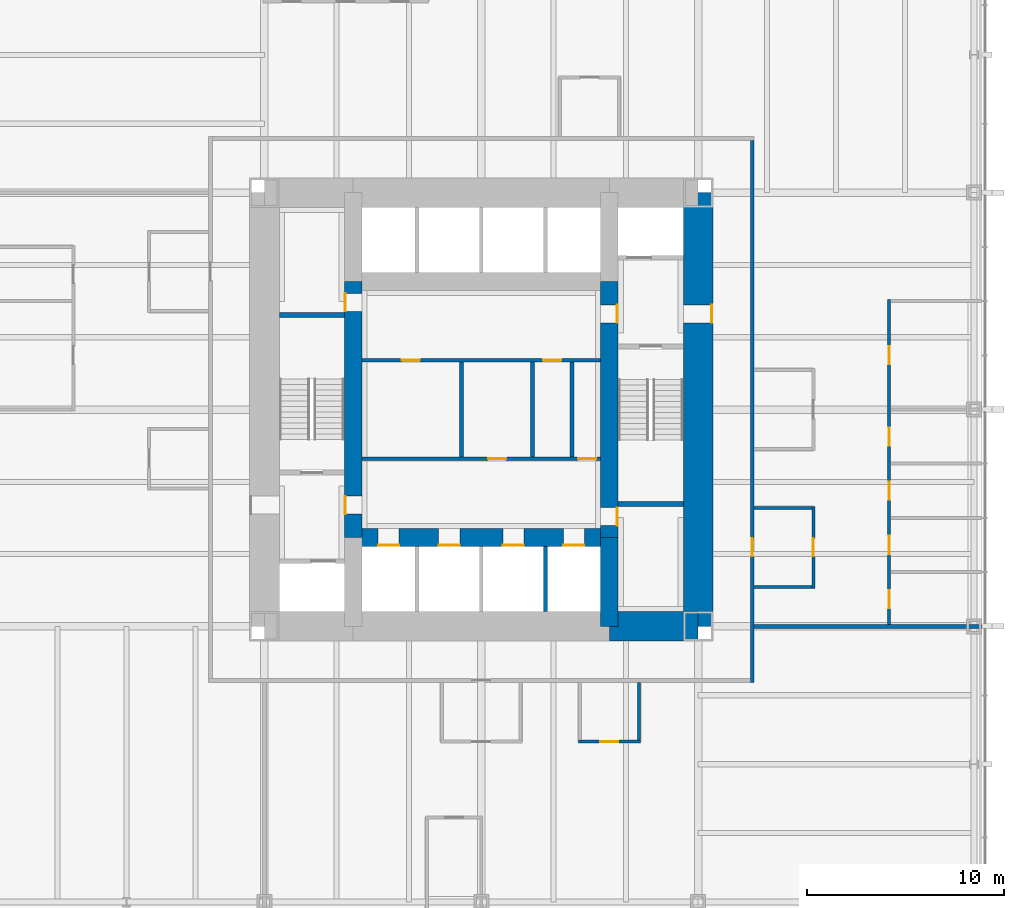
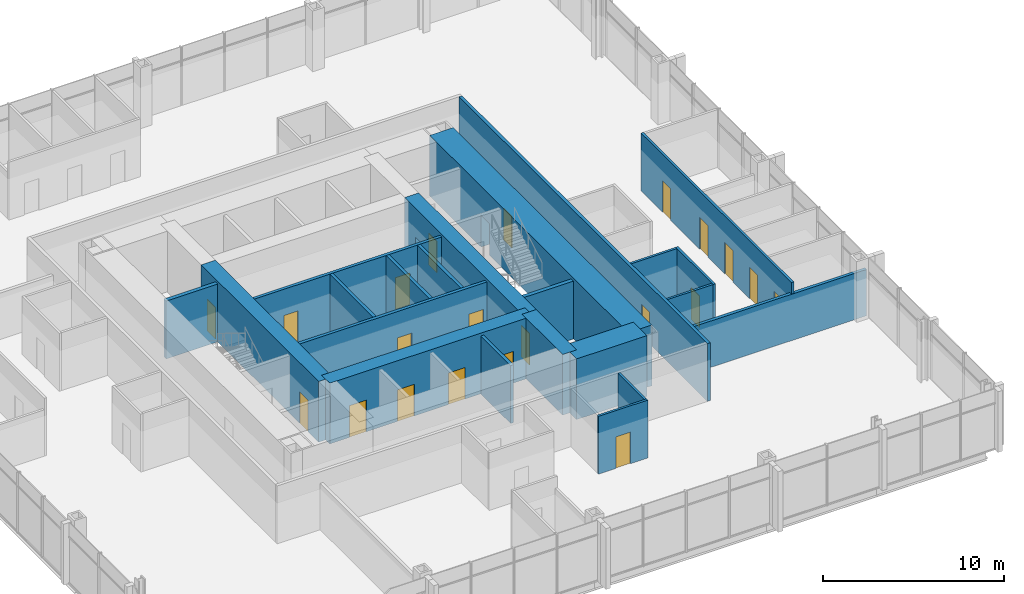
# One storey, part 10 of 12: 22 walls, 21 doors, 21 openings.
"""IFC4 building model written with IfcOpenShell, lengths in metres."""

import ifcopenshell
import ifcopenshell.guid

model = None  # the IFC model being written
_history = None  # IfcOwnerHistory: only IFC2X3 demands one
_inside = {}  # id of a spatial element -> (the spatial element, [elements in it])
_under = {}  # id of a project, library or spatial element -> (it, [spatial elements below it])
_declared = {}  # id of a project -> (the project, [libraries it declares])
_typed = {}  # id of a type object -> (the type object, [elements of that type])
_made_of = {}  # id of a material, layer set ... -> (it, [elements and type objects made of it])


def new_model(schema):
    """Start an empty IFC model of exactly this schema.

    Asked for "IFC4X3", IfcOpenShell would pick the latest addendum, in which some entities
    have other attributes; the version numbers below select the first issue.
    IFC2X3 requires an IfcOwnerHistory on every rooted entity: one is made here for all.
    """
    global model, _history
    if schema == "IFC4X3":
        model = ifcopenshell.file(schema_version=(4, 3, 0, 0))
    else:
        model = ifcopenshell.file(schema=schema)
    _inside.clear()
    _under.clear()
    _declared.clear()
    _typed.clear()
    _made_of.clear()
    _history = None
    if model.schema == "IFC2X3":
        org = make("IfcOrganization", Name="unknown")
        user = make(
            "IfcPersonAndOrganization",
            ThePerson=make("IfcPerson", FamilyName="unknown"),
            TheOrganization=org,
        )
        app = make(
            "IfcApplication",
            ApplicationDeveloper=org,
            Version="unknown",
            ApplicationFullName="unknown",
            ApplicationIdentifier="unknown",
        )
        _history = make(
            "IfcOwnerHistory",
            OwningUser=user,
            OwningApplication=app,
            ChangeAction="ADDED",
            CreationDate=0,
        )
    return model


def make(cls, **values):
    """One entity of the class cls with the attributes given. An attribute that is None is left unset."""
    return model.create_entity(
        cls, **{name: value for name, value in values.items() if value is not None}
    )


def rooted(cls, **values):
    """An entity with a GlobalId (a new one), such as an element, a storey or a relation."""
    return make(cls, GlobalId=ifcopenshell.guid.new(), OwnerHistory=_history, **values)


def si_unit(unit_type, name, prefix=None):
    """IfcSIUnit, for example si_unit("LENGTHUNIT", "METRE", prefix="MILLI")."""
    return make("IfcSIUnit", UnitType=unit_type, Prefix=prefix, Name=name)


def assignment(units):
    """IfcUnitAssignment: the units of a project."""
    return None if units is None else make("IfcUnitAssignment", Units=units)


def point(xyz):
    """IfcCartesianPoint."""
    return None if xyz is None else make("IfcCartesianPoint", Coordinates=xyz)


def direction(xyz):
    """IfcDirection."""
    return None if xyz is None else make("IfcDirection", DirectionRatios=xyz)


def frame(location, z_axis=None, x_axis=None):
    """IfcAxis2Placement3D, a coordinate frame: its origin and axes. An axis left out is left unset."""
    return make(
        "IfcAxis2Placement3D",
        Location=point(location),
        Axis=direction(z_axis),
        RefDirection=direction(x_axis),
    )


def frame_2d(location, x_axis=None):
    """IfcAxis2Placement2D, a coordinate frame in the plane: its origin and x axis."""
    return make(
        "IfcAxis2Placement2D", Location=point(location), RefDirection=direction(x_axis)
    )


def origin():
    """The frame at (0, 0, 0) with its axes left unset."""
    return frame((0.0, 0.0, 0.0))


def place(relative_to, where):
    """IfcLocalPlacement: puts the frame where relative to a parent placement (None: the world)."""
    return make(
        "IfcLocalPlacement", PlacementRelTo=relative_to, RelativePlacement=where
    )


def context(
    kind, dimensions, precision=None, world=None, true_north=None, identifier=None
):
    """IfcGeometricRepresentationContext, for example the 3D "Model" context."""
    return make(
        "IfcGeometricRepresentationContext",
        ContextIdentifier=identifier,
        ContextType=kind,
        CoordinateSpaceDimension=dimensions,
        Precision=precision,
        WorldCoordinateSystem=world,
        TrueNorth=true_north,
    )


def subcontext(parent, identifier, kind, view, scale=None):
    """IfcGeometricRepresentationSubContext, for example "Body" below "Model"."""
    return make(
        "IfcGeometricRepresentationSubContext",
        ContextIdentifier=identifier,
        ContextType=kind,
        ParentContext=parent,
        TargetScale=scale,
        TargetView=view,
    )


def project(units=None, contexts=None):
    """IfcProject with its units and contexts."""
    return rooted(
        "IfcProject",
        Name="project",
        RepresentationContexts=contexts,
        UnitsInContext=assignment(units),
    )


def spatial(cls, under=None, at=None, **own):
    """A site, building, storey or space (cls), placed at a placement, below another one or the project."""
    s = rooted(cls, ObjectPlacement=at, **own)
    if under is not None:
        _under.setdefault(under.id(), (under, []))[1].append(s)
    return s


def profile(cls, at=None, kind="AREA", **sizes):
    """A parametric profile (cls). Its sizes go by their IFC names, for example OverallWidth=200.0."""
    return make(cls, ProfileType=kind, Position=at, **sizes)


def rectangle(**sizes):
    """IfcRectangleProfileDef."""
    return profile("IfcRectangleProfileDef", **sizes)


def extrude(swept, where, along, depth):
    """IfcExtrudedAreaSolid: the profile swept, set in the frame where, extruded along a direction by depth."""
    return make(
        "IfcExtrudedAreaSolid",
        SweptArea=swept,
        Position=where,
        ExtrudedDirection=direction(along),
        Depth=depth,
    )


def shape(context_of_items, identifier, shape_type, items):
    """IfcShapeRepresentation: the items that make up one representation, for example the "Body"."""
    return make(
        "IfcShapeRepresentation",
        ContextOfItems=context_of_items,
        RepresentationIdentifier=identifier,
        RepresentationType=shape_type,
        Items=items,
    )


def material(Name=None, Category=None):
    """IfcMaterial."""
    return make("IfcMaterial", Name=Name, Category=Category)


def layer(
    of_material, thickness, ventilated=None, Name=None, Category=None, Priority=None
):
    """IfcMaterialLayer: one layer of a wall or slab, of a material (None: an air gap)."""
    return make(
        "IfcMaterialLayer",
        Material=of_material,
        LayerThickness=thickness,
        IsVentilated=ventilated,
        Name=Name,
        Category=Category,
        Priority=Priority,
    )


def layer_set(layers, Name=None):
    """IfcMaterialLayerSet."""
    return make("IfcMaterialLayerSet", MaterialLayers=layers, LayerSetName=Name)


def made_of(thing, what):
    """Note that an element or type object is made of a material, layer set ...; save() writes the relation."""
    if what is not None:
        _made_of.setdefault(what.id(), (what, []))[1].append(thing)
    return thing


def type_object(cls, material=None, **own):
    """A type object (cls), such as IfcWallType, which elements share."""
    return made_of(rooted(cls, **own), material)


def element(
    cls,
    number,
    at=None,
    inside=None,
    cuts=None,
    type_object=None,
    material=None,
    context=None,
    identifier="Body",
    shape_type=None,
    held_by="IfcProductDefinitionShape",
    body=None,
    shapes=None,
    **own,
):
    """One element of the class cls, such as IfcWall. Its Tag is "e" and its number.

    at: its placement. inside: the storey or other place that contains it. cuts: it is an
    opening in that element (IfcRelVoidsElement). A single representation is given by context,
    identifier, shape_type and body (its items); several are given by shapes. held_by: the class
    of the entity that holds the representations. save() writes the other relations.
    """
    e = rooted(cls, Tag="e%d" % number, ObjectPlacement=at, **own)
    if body is not None:
        shapes = [shape(context, identifier, shape_type, body)]
    if shapes is not None:
        e.Representation = make(held_by, Representations=shapes)
    if inside is not None:
        _inside.setdefault(inside.id(), (inside, []))[1].append(e)
    if cuts is not None:
        rooted(
            "IfcRelVoidsElement", RelatingBuildingElement=cuts, RelatedOpeningElement=e
        )
    if type_object is not None:
        _typed.setdefault(type_object.id(), (type_object, []))[1].append(e)
    return made_of(e, material)


def fill(opening, filler):
    """IfcRelFillsElement: the door or window that sits in an opening."""
    return rooted(
        "IfcRelFillsElement",
        RelatingOpeningElement=opening,
        RelatedBuildingElement=filler,
    )


def aggregate(whole, parts):
    """IfcRelAggregates: a whole, such as a stair, and the parts it consists of."""
    return rooted("IfcRelAggregates", RelatingObject=whole, RelatedObjects=parts)


def save(model, path):
    """Write the relations noted so far, then the file.

    IfcRelAggregates (storeys below a building ...), IfcRelContainedInSpatialStructure (elements
    in a storey), IfcRelDefinesByType, IfcRelAssociatesMaterial and IfcRelDeclares: one each for
    every whole, place, type object, material and project.
    """
    for whole, parts in _under.values():
        aggregate(whole, parts)
    for where, things in _inside.values():
        rooted(
            "IfcRelContainedInSpatialStructure",
            RelatedElements=things,
            RelatingStructure=where,
        )
    for kind, things in _typed.values():
        rooted("IfcRelDefinesByType", RelatedObjects=things, RelatingType=kind)
    for what, things in _made_of.values():
        rooted("IfcRelAssociatesMaterial", RelatedObjects=things, RelatingMaterial=what)
    for by, libraries in _declared.values():
        rooted("IfcRelDeclares", RelatingContext=by, RelatedDefinitions=libraries)
    model.write(path)


model = new_model("IFC4")

# Units and contexts
model_context = context("Model", 3, precision=1e-05, world=origin(), true_north=direction((0.0, 1.0)))
body_context = subcontext(model_context, "Body", "Model", "MODEL_VIEW")
ifc_project = project(units=[si_unit("LENGTHUNIT", "METRE"), si_unit("AREAUNIT", "SQUARE_METRE"), si_unit("VOLUMEUNIT", "CUBIC_METRE"), si_unit("PLANEANGLEUNIT", "RADIAN"), si_unit("MASSUNIT", "GRAM", prefix="KILO")], contexts=[model_context])

# Site, building, storey
site_placement = place(None, origin())
site = spatial("IfcSite", under=ifc_project, at=site_placement, CompositionType="ELEMENT")
building_placement = place(site_placement, origin())
building = spatial("IfcBuilding", under=site, at=building_placement, Name="Trevanion Tower", CompositionType="ELEMENT")
storey_placement = place(building_placement, frame((0.0, 0.0, 40.60009765625)))
storey = spatial("IfcBuildingStorey", under=building, at=storey_placement, Name="L09", CompositionType="ELEMENT", Elevation=40.60009765625)

# Wall, opening, door
ifc_material_1 = material(Name="Concrete 10,000 psi", Category="concrete")
ifc_layer_1 = layer(ifc_material_1, 1.5)
ifc_layer_set_1 = layer_set([ifc_layer_1], Name="CW1 core wall 1500")
wall_type_1 = type_object("IfcWallType", Name="CW1 core wall 1500", PredefinedType="SHEAR", material=ifc_layer_set_1)
wall_1_placement = place(storey_placement, frame((11.0, -11.0, 0.0), z_axis=(0.0, 0.0, 1.0), x_axis=(0.0, 1.0, 0.0)))
wall_1 = element("IfcWall", 1, at=wall_1_placement, inside=storey, type_object=wall_type_1, Name="CW1 CE L09", PredefinedType="SHEAR", context=body_context, shape_type="SweptSolid", body=[
    extrude(rectangle(XDim=22.0, YDim=1.5, at=frame_2d((11.0, 0.0))), origin(), (0.0, 0.0, 1.0), 4.099853515625),
])
opening_1_placement = place(wall_1_placement, frame((15.392578125, 0.0, 0.0)))
opening_1 = element("IfcOpeningElement", 2, at=opening_1_placement, cuts=wall_1, Name="Opening 09-001", PredefinedType="OPENING", context=body_context, shape_type="SweptSolid", body=[
    extrude(rectangle(XDim=0.9150390625, YDim=2.134033203125, at=frame_2d((0.45751953125, 1.06689453125))), frame((0.0, 0.760009765625, 0.0), z_axis=(0.0, -1.0, 0.0), x_axis=(1.0, 0.0, 0.0)), (0.0, 0.0, 1.0), 1.52001953125),
])
ifc_material_2 = material(Name="Hollow metal, fire rated", Category="steel")
door_type_1 = type_object("IfcDoorType", Name="D3 fire lift lobby door", OperationType="SINGLE_SWING_RIGHT", PredefinedType="DOOR", material=ifc_material_2)
door_1_placement = place(opening_1_placement, origin())
door_1 = element("IfcDoor", 3, at=door_1_placement, inside=storey, type_object=door_type_1, Name="Door 09-001", OperationType="SINGLE_SWING_RIGHT", OverallHeight=2.134033203125, OverallWidth=0.9150390625, PredefinedType="DOOR", context=body_context, shape_type="SweptSolid", body=[
    extrude(rectangle(XDim=0.9150390625, YDim=2.134033203125, at=frame_2d((0.45751953125, 1.06689453125))), frame((0.0, -0.6748046875, 0.0), z_axis=(0.0, -1.0, 0.0), x_axis=(1.0, 0.0, 0.0)), (0.0, 0.0, 1.0), 0.050048828125),
])
fill(opening_1, door_1)

# Walls
wall_2_placement = place(storey_placement, frame((6.5, -11.0, 0.0), z_axis=(0.0, 0.0, 1.0), x_axis=(1.0, 0.0, 0.0)))
element("IfcWall", 4, at=wall_2_placement, inside=storey, type_object=wall_type_1, Name="CW1 CS3 L09", PredefinedType="SHEAR", context=body_context, shape_type="SweptSolid", body=[
    extrude(rectangle(XDim=4.5, YDim=1.5, at=frame_2d((2.25, 0.0))), origin(), (0.0, 0.0, 1.0), 4.099853515625),
])
ifc_material_3 = material(Name="Concrete 10,000 psi", Category="concrete")
ifc_layer_2 = layer(ifc_material_3, 0.89990234375)
ifc_layer_set_2 = layer_set([ifc_layer_2], Name="CW2 core wall 900")
wall_type_2 = type_object("IfcWallType", Name="CW2 core wall 900", PredefinedType="SHEAR", material=ifc_layer_set_2)
wall_3_placement = place(storey_placement, frame((6.5, -11.0, 0.0), z_axis=(0.0, 0.0, 1.0), x_axis=(0.0, 1.0, 0.0)))
element("IfcWall", 5, at=wall_3_placement, inside=storey, type_object=wall_type_2, Name="CW2 RE1 L09", PredefinedType="SHEAR", context=body_context, shape_type="SweptSolid", body=[
    extrude(rectangle(XDim=4.5, YDim=0.89990234375, at=frame_2d((2.25, 0.0))), origin(), (0.0, 0.0, 1.0), 4.099853515625),
])

# Wall, openings, doors
wall_4_placement = place(storey_placement, frame((6.5, -6.5, 0.0), z_axis=(0.0, 0.0, 1.0), x_axis=(0.0, 1.0, 0.0)))
wall_4 = element("IfcWall", 6, at=wall_4_placement, inside=storey, type_object=wall_type_2, Name="CW2 RE2 L09", PredefinedType="SHEAR", context=body_context, shape_type="SweptSolid", body=[
    extrude(rectangle(XDim=13.0, YDim=0.89990234375, at=frame_2d((6.5, 0.0))), origin(), (0.0, 0.0, 1.0), 4.099853515625),
])
opening_2_placement = place(wall_4_placement, frame((10.892578125, 0.0, 0.0)))
opening_2 = element("IfcOpeningElement", 7, at=opening_2_placement, cuts=wall_4, Name="Opening 09-003", PredefinedType="OPENING", context=body_context, shape_type="SweptSolid", body=[
    extrude(rectangle(XDim=0.9150390625, YDim=2.134033203125, at=frame_2d((0.45751953125, 1.06689453125))), frame((0.0, 0.4599609375, 0.0), z_axis=(0.0, -1.0, 0.0), x_axis=(1.0, 0.0, 0.0)), (0.0, 0.0, 1.0), 0.919921875),
])
opening_3_placement = place(wall_4_placement, frame((0.610107421875, 0.0, 0.0)))
opening_3 = element("IfcOpeningElement", 8, at=opening_3_placement, cuts=wall_4, Name="Opening 09-009", PredefinedType="OPENING", context=body_context, shape_type="SweptSolid", body=[
    extrude(rectangle(XDim=0.9150390625, YDim=2.134033203125, at=frame_2d((0.45751953125, 1.06689453125))), frame((0.0, 0.4599609375, 0.0), z_axis=(0.0, -1.0, 0.0), x_axis=(1.0, 0.0, 0.0)), (0.0, 0.0, 1.0), 0.919921875),
])
door_2_placement = place(opening_2_placement, origin())
door_2 = element("IfcDoor", 9, at=door_2_placement, inside=storey, type_object=door_type_1, Name="Door 09-003", OperationType="SINGLE_SWING_RIGHT", OverallHeight=2.134033203125, OverallWidth=0.9150390625, PredefinedType="DOOR", context=body_context, shape_type="SweptSolid", body=[
    extrude(rectangle(XDim=0.9150390625, YDim=2.134033203125, at=frame_2d((0.45751953125, 1.06689453125))), frame((0.0, -0.375, 0.0), z_axis=(0.0, -1.0, 0.0), x_axis=(1.0, 0.0, 0.0)), (0.0, 0.0, 1.0), 0.050048828125),
])
fill(opening_2, door_2)
ifc_material_4 = material(Name="Hollow metal, fire rated", Category="steel")
door_type_2 = type_object("IfcDoorType", Name="D5 service room door", OperationType="SINGLE_SWING_RIGHT", PredefinedType="DOOR", material=ifc_material_4)
door_3_placement = place(opening_3_placement, origin())
door_3 = element("IfcDoor", 10, at=door_3_placement, inside=storey, type_object=door_type_2, Name="Door 09-009", OperationType="SINGLE_SWING_RIGHT", OverallHeight=2.134033203125, OverallWidth=0.9150390625, PredefinedType="DOOR", context=body_context, shape_type="SweptSolid", body=[
    extrude(rectangle(XDim=0.9150390625, YDim=2.134033203125, at=frame_2d((0.45751953125, 1.06689453125))), frame((0.0, -0.375, 0.0), z_axis=(0.0, -1.0, 0.0), x_axis=(1.0, 0.0, 0.0)), (0.0, 0.0, 1.0), 0.050048828125),
])
fill(opening_3, door_3)

wall_5_placement = place(storey_placement, frame((-6.5, 6.5, 0.0), z_axis=(0.0, 0.0, 1.0), x_axis=(0.0, -1.0, 0.0)))
wall_5 = element("IfcWall", 11, at=wall_5_placement, inside=storey, type_object=wall_type_2, Name="CW2 RW2 L09", PredefinedType="SHEAR", context=body_context, shape_type="SweptSolid", body=[
    extrude(rectangle(XDim=13.0, YDim=0.89990234375, at=frame_2d((6.5, 0.0))), origin(), (0.0, 0.0, 1.0), 4.099853515625),
])
opening_4_placement = place(wall_5_placement, frame((10.892578125, 0.0, 0.0)))
opening_4 = element("IfcOpeningElement", 12, at=opening_4_placement, cuts=wall_5, Name="Opening 09-004", PredefinedType="OPENING", context=body_context, shape_type="SweptSolid", body=[
    extrude(rectangle(XDim=0.9150390625, YDim=2.134033203125, at=frame_2d((0.45751953125, 1.06689453125))), frame((0.0, 0.4599609375, 0.0), z_axis=(0.0, -1.0, 0.0), x_axis=(1.0, 0.0, 0.0)), (0.0, 0.0, 1.0), 0.919921875),
])
opening_5_placement = place(wall_5_placement, frame((0.610107421875, 0.0, 0.0)))
opening_5 = element("IfcOpeningElement", 13, at=opening_5_placement, cuts=wall_5, Name="Opening 09-010", PredefinedType="OPENING", context=body_context, shape_type="SweptSolid", body=[
    extrude(rectangle(XDim=0.9150390625, YDim=2.134033203125, at=frame_2d((0.45751953125, 1.06689453125))), frame((0.0, 0.4599609375, 0.0), z_axis=(0.0, -1.0, 0.0), x_axis=(1.0, 0.0, 0.0)), (0.0, 0.0, 1.0), 0.919921875),
])
door_4_placement = place(opening_4_placement, origin())
door_4 = element("IfcDoor", 14, at=door_4_placement, inside=storey, type_object=door_type_1, Name="Door 09-004", OperationType="SINGLE_SWING_RIGHT", OverallHeight=2.134033203125, OverallWidth=0.9150390625, PredefinedType="DOOR", context=body_context, shape_type="SweptSolid", body=[
    extrude(rectangle(XDim=0.9150390625, YDim=2.134033203125, at=frame_2d((0.45751953125, 1.06689453125))), frame((0.0, -0.375, 0.0), z_axis=(0.0, -1.0, 0.0), x_axis=(1.0, 0.0, 0.0)), (0.0, 0.0, 1.0), 0.050048828125),
])
fill(opening_4, door_4)
door_5_placement = place(opening_5_placement, origin())
door_5 = element("IfcDoor", 15, at=door_5_placement, inside=storey, type_object=door_type_2, Name="Door 09-010", OperationType="SINGLE_SWING_RIGHT", OverallHeight=2.134033203125, OverallWidth=0.9150390625, PredefinedType="DOOR", context=body_context, shape_type="SweptSolid", body=[
    extrude(rectangle(XDim=0.9150390625, YDim=2.134033203125, at=frame_2d((0.45751953125, 1.06689453125))), frame((0.0, -0.375, 0.0), z_axis=(0.0, -1.0, 0.0), x_axis=(1.0, 0.0, 0.0)), (0.0, 0.0, 1.0), 0.050048828125),
])
fill(opening_5, door_5)

wall_6_placement = place(storey_placement, frame((-6.5, -6.5, 0.0), z_axis=(0.0, 0.0, 1.0), x_axis=(1.0, 0.0, 0.0)))
wall_6 = element("IfcWall", 16, at=wall_6_placement, inside=storey, type_object=wall_type_2, Name="CW2 RS L09", PredefinedType="SHEAR", context=body_context, shape_type="SweptSolid", body=[
    extrude(rectangle(XDim=13.0, YDim=0.89990234375, at=frame_2d((6.5, 0.0))), origin(), (0.0, 0.0, 1.0), 4.099853515625),
])
opening_6_placement = place(wall_6_placement, frame((1.2666015625, 0.0, 0.0)))
opening_6 = element("IfcOpeningElement", 17, at=opening_6_placement, cuts=wall_6, Name="Opening 09-011", PredefinedType="OPENING", context=body_context, shape_type="SweptSolid", body=[
    extrude(rectangle(XDim=1.06689453125, YDim=2.134033203125, at=frame_2d((0.533447265625, 1.06689453125))), frame((0.0, 0.4599609375, 0.0), z_axis=(0.0, -1.0, 0.0), x_axis=(1.0, 0.0, 0.0)), (0.0, 0.0, 1.0), 0.919921875),
])
opening_7_placement = place(wall_6_placement, frame((4.341552734375, 0.0, 0.0)))
opening_7 = element("IfcOpeningElement", 18, at=opening_7_placement, cuts=wall_6, Name="Opening 09-012", PredefinedType="OPENING", context=body_context, shape_type="SweptSolid", body=[
    extrude(rectangle(XDim=1.06689453125, YDim=2.134033203125, at=frame_2d((0.533447265625, 1.06689453125))), frame((0.0, 0.4599609375, 0.0), z_axis=(0.0, -1.0, 0.0), x_axis=(1.0, 0.0, 0.0)), (0.0, 0.0, 1.0), 0.919921875),
])
opening_8_placement = place(wall_6_placement, frame((7.591552734375, 0.0, 0.0)))
opening_8 = element("IfcOpeningElement", 19, at=opening_8_placement, cuts=wall_6, Name="Opening 09-013", PredefinedType="OPENING", context=body_context, shape_type="SweptSolid", body=[
    extrude(rectangle(XDim=1.06689453125, YDim=2.134033203125, at=frame_2d((0.533447265625, 1.06689453125))), frame((0.0, 0.4599609375, 0.0), z_axis=(0.0, -1.0, 0.0), x_axis=(1.0, 0.0, 0.0)), (0.0, 0.0, 1.0), 0.919921875),
])
opening_9_placement = place(wall_6_placement, frame((10.66650390625, 0.0, 0.0)))
opening_9 = element("IfcOpeningElement", 20, at=opening_9_placement, cuts=wall_6, Name="Opening 09-014", PredefinedType="OPENING", context=body_context, shape_type="SweptSolid", body=[
    extrude(rectangle(XDim=1.06689453125, YDim=2.134033203125, at=frame_2d((0.533447265625, 1.06689453125))), frame((0.0, 0.4599609375, 0.0), z_axis=(0.0, -1.0, 0.0), x_axis=(1.0, 0.0, 0.0)), (0.0, 0.0, 1.0), 0.919921875),
])
ifc_material_5 = material(Name="Stainless steel, fire rated", Category="steel")
door_type_3 = type_object("IfcDoorType", Name="LD1 lift landing door", OperationType="SLIDING_TO_LEFT", PredefinedType="DOOR", material=ifc_material_5)
door_6_placement = place(opening_6_placement, origin())
door_6 = element("IfcDoor", 21, at=door_6_placement, inside=storey, type_object=door_type_3, Name="Door 09-011", OperationType="SLIDING_TO_LEFT", OverallHeight=2.134033203125, OverallWidth=1.06689453125, PredefinedType="DOOR", context=body_context, shape_type="SweptSolid", body=[
    extrude(rectangle(XDim=1.06689453125, YDim=2.134033203125, at=frame_2d((0.533447265625, 1.06689453125))), frame((0.0, -0.375, 0.0), z_axis=(0.0, -1.0, 0.0), x_axis=(1.0, 0.0, 0.0)), (0.0, 0.0, 1.0), 0.050048828125),
])
fill(opening_6, door_6)
door_7_placement = place(opening_7_placement, origin())
door_7 = element("IfcDoor", 22, at=door_7_placement, inside=storey, type_object=door_type_3, Name="Door 09-012", OperationType="SLIDING_TO_LEFT", OverallHeight=2.134033203125, OverallWidth=1.06689453125, PredefinedType="DOOR", context=body_context, shape_type="SweptSolid", body=[
    extrude(rectangle(XDim=1.06689453125, YDim=2.134033203125, at=frame_2d((0.533447265625, 1.06689453125))), frame((0.0, -0.375, 0.0), z_axis=(0.0, -1.0, 0.0), x_axis=(1.0, 0.0, 0.0)), (0.0, 0.0, 1.0), 0.050048828125),
])
fill(opening_7, door_7)
door_8_placement = place(opening_8_placement, origin())
door_8 = element("IfcDoor", 23, at=door_8_placement, inside=storey, type_object=door_type_3, Name="Door 09-013", OperationType="SLIDING_TO_LEFT", OverallHeight=2.134033203125, OverallWidth=1.06689453125, PredefinedType="DOOR", context=body_context, shape_type="SweptSolid", body=[
    extrude(rectangle(XDim=1.06689453125, YDim=2.134033203125, at=frame_2d((0.533447265625, 1.06689453125))), frame((0.0, -0.375, 0.0), z_axis=(0.0, -1.0, 0.0), x_axis=(1.0, 0.0, 0.0)), (0.0, 0.0, 1.0), 0.050048828125),
])
fill(opening_8, door_8)
door_9_placement = place(opening_9_placement, origin())
door_9 = element("IfcDoor", 24, at=door_9_placement, inside=storey, type_object=door_type_3, Name="Door 09-014", OperationType="SLIDING_TO_LEFT", OverallHeight=2.134033203125, OverallWidth=1.06689453125, PredefinedType="DOOR", context=body_context, shape_type="SweptSolid", body=[
    extrude(rectangle(XDim=1.06689453125, YDim=2.134033203125, at=frame_2d((0.533447265625, 1.06689453125))), frame((0.0, -0.375, 0.0), z_axis=(0.0, -1.0, 0.0), x_axis=(1.0, 0.0, 0.0)), (0.0, 0.0, 1.0), 0.050048828125),
])
fill(opening_9, door_9)

ifc_material_6 = material(Name="Gypsum board on steel studs", Category="steel")
ifc_layer_3 = layer(ifc_material_6, 0.14990234375)
ifc_layer_set_3 = layer_set([ifc_layer_3], Name="PT1 partition 150")
wall_type_3 = type_object("IfcWallType", Name="PT1 partition 150", PredefinedType="PARTITIONING", material=ifc_layer_set_3)
wall_7_placement = place(storey_placement, frame((20.699951171875, -11.074951171875, 0.0), z_axis=(0.0, 0.0, 1.0), x_axis=(0.0, 1.0, 0.0)))
wall_7 = element("IfcWall", 25, at=wall_7_placement, inside=storey, type_object=wall_type_3, Name="PT1 L09 FC0F", PredefinedType="PARTITIONING", context=body_context, shape_type="SweptSolid", body=[
    extrude(rectangle(XDim=16.64990234375, YDim=0.14990234375, at=frame_2d((8.324951171875, 0.0))), origin(), (0.0, 0.0, 1.0), 3.909912109375),
])
opening_10_placement = place(wall_7_placement, frame((0.992431640625, 0.0, 0.0)))
opening_10 = element("IfcOpeningElement", 26, at=opening_10_placement, cuts=wall_7, Name="Opening 09-019", PredefinedType="OPENING", context=body_context, shape_type="SweptSolid", body=[
    extrude(rectangle(XDim=0.9150390625, YDim=2.134033203125, at=frame_2d((0.45751953125, 1.06689453125))), frame((0.0, 0.0849609375, 0.0), z_axis=(0.0, -1.0, 0.0), x_axis=(1.0, 0.0, 0.0)), (0.0, 0.0, 1.0), 0.169921875),
])
opening_11_placement = place(wall_7_placement, frame((3.742431640625, 0.0, 0.0)))
opening_11 = element("IfcOpeningElement", 27, at=opening_11_placement, cuts=wall_7, Name="Opening 09-020", PredefinedType="OPENING", context=body_context, shape_type="SweptSolid", body=[
    extrude(rectangle(XDim=0.9150390625, YDim=2.134033203125, at=frame_2d((0.45751953125, 1.06689453125))), frame((0.0, 0.0849609375, 0.0), z_axis=(0.0, -1.0, 0.0), x_axis=(1.0, 0.0, 0.0)), (0.0, 0.0, 1.0), 0.169921875),
])
opening_12_placement = place(wall_7_placement, frame((6.492431640625, 0.0, 0.0)))
opening_12 = element("IfcOpeningElement", 28, at=opening_12_placement, cuts=wall_7, Name="Opening 09-021", PredefinedType="OPENING", context=body_context, shape_type="SweptSolid", body=[
    extrude(rectangle(XDim=0.9150390625, YDim=2.134033203125, at=frame_2d((0.45751953125, 1.06689453125))), frame((0.0, 0.0849609375, 0.0), z_axis=(0.0, -1.0, 0.0), x_axis=(1.0, 0.0, 0.0)), (0.0, 0.0, 1.0), 0.169921875),
])
opening_13_placement = place(wall_7_placement, frame((9.242431640625, 0.0, 0.0)))
opening_13 = element("IfcOpeningElement", 29, at=opening_13_placement, cuts=wall_7, Name="Opening 09-022", PredefinedType="OPENING", context=body_context, shape_type="SweptSolid", body=[
    extrude(rectangle(XDim=0.9150390625, YDim=2.134033203125, at=frame_2d((0.45751953125, 1.06689453125))), frame((0.0, 0.0849609375, 0.0), z_axis=(0.0, -1.0, 0.0), x_axis=(1.0, 0.0, 0.0)), (0.0, 0.0, 1.0), 0.169921875),
])
opening_14_placement = place(wall_7_placement, frame((13.367431640625, 0.0, 0.0)))
opening_14 = element("IfcOpeningElement", 30, at=opening_14_placement, cuts=wall_7, Name="Opening 09-023", PredefinedType="OPENING", context=body_context, shape_type="SweptSolid", body=[
    extrude(rectangle(XDim=0.9150390625, YDim=2.134033203125, at=frame_2d((0.45751953125, 1.06689453125))), frame((0.0, 0.0849609375, 0.0), z_axis=(0.0, -1.0, 0.0), x_axis=(1.0, 0.0, 0.0)), (0.0, 0.0, 1.0), 0.169921875),
])
ifc_material_7 = material(Name="Timber veneer, solid core", Category="wood")
door_type_4 = type_object("IfcDoorType", Name="D1 office and meeting room door", OperationType="SINGLE_SWING_LEFT", PredefinedType="DOOR", material=ifc_material_7)
door_10_placement = place(opening_10_placement, origin())
door_10 = element("IfcDoor", 31, at=door_10_placement, inside=storey, type_object=door_type_4, Name="Door 09-019", OperationType="SINGLE_SWING_LEFT", OverallHeight=2.134033203125, OverallWidth=0.9150390625, PredefinedType="DOOR", context=body_context, shape_type="SweptSolid", body=[
    extrude(rectangle(XDim=0.9150390625, YDim=2.134033203125, at=frame_2d((0.45751953125, 1.06689453125))), frame((0.0, 0.02490234375, 0.0), z_axis=(0.0, -1.0, 0.0), x_axis=(1.0, 0.0, 0.0)), (0.0, 0.0, 1.0), 0.050048828125),
])
fill(opening_10, door_10)
door_11_placement = place(opening_11_placement, origin())
door_11 = element("IfcDoor", 32, at=door_11_placement, inside=storey, type_object=door_type_4, Name="Door 09-020", OperationType="SINGLE_SWING_LEFT", OverallHeight=2.134033203125, OverallWidth=0.9150390625, PredefinedType="DOOR", context=body_context, shape_type="SweptSolid", body=[
    extrude(rectangle(XDim=0.9150390625, YDim=2.134033203125, at=frame_2d((0.45751953125, 1.06689453125))), frame((0.0, 0.02490234375, 0.0), z_axis=(0.0, -1.0, 0.0), x_axis=(1.0, 0.0, 0.0)), (0.0, 0.0, 1.0), 0.050048828125),
])
fill(opening_11, door_11)
door_12_placement = place(opening_12_placement, origin())
door_12 = element("IfcDoor", 33, at=door_12_placement, inside=storey, type_object=door_type_4, Name="Door 09-021", OperationType="SINGLE_SWING_LEFT", OverallHeight=2.134033203125, OverallWidth=0.9150390625, PredefinedType="DOOR", context=body_context, shape_type="SweptSolid", body=[
    extrude(rectangle(XDim=0.9150390625, YDim=2.134033203125, at=frame_2d((0.45751953125, 1.06689453125))), frame((0.0, 0.02490234375, 0.0), z_axis=(0.0, -1.0, 0.0), x_axis=(1.0, 0.0, 0.0)), (0.0, 0.0, 1.0), 0.050048828125),
])
fill(opening_12, door_12)
door_13_placement = place(opening_13_placement, origin())
door_13 = element("IfcDoor", 34, at=door_13_placement, inside=storey, type_object=door_type_4, Name="Door 09-022", OperationType="SINGLE_SWING_LEFT", OverallHeight=2.134033203125, OverallWidth=0.9150390625, PredefinedType="DOOR", context=body_context, shape_type="SweptSolid", body=[
    extrude(rectangle(XDim=0.9150390625, YDim=2.134033203125, at=frame_2d((0.45751953125, 1.06689453125))), frame((0.0, 0.02490234375, 0.0), z_axis=(0.0, -1.0, 0.0), x_axis=(1.0, 0.0, 0.0)), (0.0, 0.0, 1.0), 0.050048828125),
])
fill(opening_13, door_13)
door_14_placement = place(opening_14_placement, origin())
door_14 = element("IfcDoor", 35, at=door_14_placement, inside=storey, type_object=door_type_4, Name="Door 09-023", OperationType="SINGLE_SWING_LEFT", OverallHeight=2.134033203125, OverallWidth=0.9150390625, PredefinedType="DOOR", context=body_context, shape_type="SweptSolid", body=[
    extrude(rectangle(XDim=0.9150390625, YDim=2.134033203125, at=frame_2d((0.45751953125, 1.06689453125))), frame((0.0, 0.02490234375, 0.0), z_axis=(0.0, -1.0, 0.0), x_axis=(1.0, 0.0, 0.0)), (0.0, 0.0, 1.0), 0.050048828125),
])
fill(opening_14, door_14)

# Wall, opening, door
wall_8_placement = place(storey_placement, frame((16.85009765625, -9.074951171875, 0.0), z_axis=(0.0, 0.0, 1.0), x_axis=(0.0, 1.0, 0.0)))
wall_8 = element("IfcWall", 36, at=wall_8_placement, inside=storey, type_object=wall_type_3, Name="PT1 L09 IN00F", PredefinedType="PARTITIONING", context=body_context, shape_type="SweptSolid", body=[
    extrude(rectangle(XDim=4.14990234375, YDim=0.14990234375, at=frame_2d((2.074951171875, 0.0))), origin(), (0.0, 0.0, 1.0), 3.909912109375),
])
opening_15_placement = place(wall_8_placement, frame((1.617431640625, 0.0, 0.0)))
opening_15 = element("IfcOpeningElement", 37, at=opening_15_placement, cuts=wall_8, Name="Opening 09-030", PredefinedType="OPENING", context=body_context, shape_type="SweptSolid", body=[
    extrude(rectangle(XDim=0.9150390625, YDim=2.134033203125, at=frame_2d((0.45751953125, 1.06689453125))), frame((0.0, 0.0849609375, 0.0), z_axis=(0.0, -1.0, 0.0), x_axis=(1.0, 0.0, 0.0)), (0.0, 0.0, 1.0), 0.169921875),
])
door_15_placement = place(opening_15_placement, origin())
door_15 = element("IfcDoor", 38, at=door_15_placement, inside=storey, type_object=door_type_4, Name="Door 09-030", OperationType="SINGLE_SWING_LEFT", OverallHeight=2.134033203125, OverallWidth=0.9150390625, PredefinedType="DOOR", context=body_context, shape_type="SweptSolid", body=[
    extrude(rectangle(XDim=0.9150390625, YDim=2.134033203125, at=frame_2d((0.45751953125, 1.06689453125))), frame((0.0, 0.02490234375, 0.0), z_axis=(0.0, -1.0, 0.0), x_axis=(1.0, 0.0, 0.0)), (0.0, 0.0, 1.0), 0.050048828125),
])
fill(opening_15, door_15)

# Walls
for number, where, z_axis, x_axis, name in (
    (39, (16.77490234375, -9.0, 0.0), (0.0, 0.0, 1.0), (-1.0, 0.0, 0.0), "PT1 L09 IN00S0"),
    (40, (16.77490234375, -5.0, 0.0), (0.0, 0.0, 1.0), (-1.0, 0.0, 0.0), "PT1 L09 IN00S1"),
):
    element("IfcWall", number, at=place(storey_placement, frame(where, z_axis=z_axis, x_axis=x_axis)), inside=storey, type_object=wall_type_3, Name=name, PredefinedType="PARTITIONING", context=body_context, shape_type="SweptSolid", body=[
        extrude(rectangle(XDim=2.9248046875, YDim=0.14990234375, at=frame_2d((1.46240234375, 0.0))), origin(), (0.0, 0.0, 1.0), 3.909912109375),
    ])

# Wall, opening, door
wall_9_placement = place(storey_placement, frame((4.925048828125, -16.85009765625, 0.0), z_axis=(0.0, 0.0, 1.0), x_axis=(1.0, 0.0, 0.0)))
wall_9 = element("IfcWall", 41, at=wall_9_placement, inside=storey, type_object=wall_type_3, Name="PT1 L09 IN31F", PredefinedType="PARTITIONING", context=body_context, shape_type="SweptSolid", body=[
    extrude(rectangle(XDim=3.14990234375, YDim=0.14990234375, at=frame_2d((1.574951171875, 0.0))), origin(), (0.0, 0.0, 1.0), 3.909912109375),
])
opening_16_placement = place(wall_9_placement, frame((1.117431640625, 0.0, 0.0)))
opening_16 = element("IfcOpeningElement", 42, at=opening_16_placement, cuts=wall_9, Name="Opening 09-038", PredefinedType="OPENING", context=body_context, shape_type="SweptSolid", body=[
    extrude(rectangle(XDim=0.9150390625, YDim=2.134033203125, at=frame_2d((0.45751953125, 1.06689453125))), frame((0.0, 0.0849609375, 0.0), z_axis=(0.0, -1.0, 0.0), x_axis=(1.0, 0.0, 0.0)), (0.0, 0.0, 1.0), 0.169921875),
])
door_16_placement = place(opening_16_placement, origin())
door_16 = element("IfcDoor", 43, at=door_16_placement, inside=storey, type_object=door_type_4, Name="Door 09-038", OperationType="SINGLE_SWING_LEFT", OverallHeight=2.134033203125, OverallWidth=0.9150390625, PredefinedType="DOOR", context=body_context, shape_type="SweptSolid", body=[
    extrude(rectangle(XDim=0.9150390625, YDim=2.134033203125, at=frame_2d((0.45751953125, 1.06689453125))), frame((0.0, 0.02490234375, 0.0), z_axis=(0.0, -1.0, 0.0), x_axis=(1.0, 0.0, 0.0)), (0.0, 0.0, 1.0), 0.050048828125),
])
fill(opening_16, door_16)

# Walls
wall_10_placement = place(storey_placement, frame((8.0, -16.77490234375, 0.0), z_axis=(0.0, 0.0, 1.0), x_axis=(0.0, 1.0, 0.0)))
element("IfcWall", 44, at=wall_10_placement, inside=storey, type_object=wall_type_3, Name="PT1 L09 IN31S1", PredefinedType="PARTITIONING", context=body_context, shape_type="SweptSolid", body=[
    extrude(rectangle(XDim=2.9248046875, YDim=0.14990234375, at=frame_2d((1.46240234375, 0.0))), origin(), (0.0, 0.0, 1.0), 3.909912109375),
])
ifc_material_8 = material(Name="Concrete masonry, grouted", Category="masonry")
ifc_layer_4 = layer(ifc_material_8, 0.199951171875)
ifc_layer_set_4 = layer_set([ifc_layer_4], Name="PT2 partition 200")
wall_type_4 = type_object("IfcWallType", Name="PT2 partition 200", PredefinedType="PARTITIONING", material=ifc_layer_set_4)
for number, where, z_axis, x_axis, name in (
    (45, (-1.0, -2.39990234375, 0.0), (0.0, 0.0, 1.0), (0.0, 1.0, 0.0), "PT2 L09 TP1"),
    (46, (2.60009765625, -2.39990234375, 0.0), (0.0, 0.0, 1.0), (0.0, 1.0, 0.0), "PT2 L09 TP2"),
    (47, (4.60009765625, -2.39990234375, 0.0), (0.0, 0.0, 1.0), (0.0, 1.0, 0.0), "PT2 L09 TP3"),
):
    element("IfcWall", number, at=place(storey_placement, frame(where, z_axis=z_axis, x_axis=x_axis)), inside=storey, type_object=wall_type_4, Name=name, PredefinedType="PARTITIONING", context=body_context, shape_type="SweptSolid", body=[
        extrude(rectangle(XDim=4.7998046875, YDim=0.199951171875, at=frame_2d((2.39990234375, 0.0))), origin(), (0.0, 0.0, 1.0), 3.909912109375),
    ])

# Wall, openings, doors
ifc_material_9 = material(Name="Concrete masonry, grouted", Category="masonry")
ifc_layer_5 = layer(ifc_material_9, 0.199951171875)
ifc_layer_set_5 = layer_set([ifc_layer_5], Name="PT2 partition 200 1 HR")
wall_type_5 = type_object("IfcWallType", Name="PT2 partition 200 1 HR", PredefinedType="PARTITIONING", material=ifc_layer_set_5)
wall_11_placement = place(storey_placement, frame((-6.050048828125, 2.5, 0.0), z_axis=(0.0, 0.0, 1.0), x_axis=(1.0, 0.0, 0.0)))
wall_11 = element("IfcWall", 48, at=wall_11_placement, inside=storey, type_object=wall_type_5, Name="PT2 L09 CP1", PredefinedType="PARTITIONING", context=body_context, shape_type="SweptSolid", body=[
    extrude(rectangle(XDim=12.10009765625, YDim=0.199951171875, at=frame_2d((6.050048828125, 0.0))), origin(), (0.0, 0.0, 1.0), 3.909912109375),
])
opening_17_placement = place(wall_11_placement, frame((2.017578125, 0.0, 0.0)))
opening_17 = element("IfcOpeningElement", 49, at=opening_17_placement, cuts=wall_11, Name="Opening 09-015", PredefinedType="OPENING", context=body_context, shape_type="SweptSolid", body=[
    extrude(rectangle(XDim=0.9150390625, YDim=2.134033203125, at=frame_2d((0.45751953125, 1.06689453125))), frame((0.0, 0.10986328125, 0.0), z_axis=(0.0, -1.0, 0.0), x_axis=(1.0, 0.0, 0.0)), (0.0, 0.0, 1.0), 0.219970703125),
])
opening_18_placement = place(wall_11_placement, frame((9.1923828125, 0.0, 0.0)))
opening_18 = element("IfcOpeningElement", 50, at=opening_18_placement, cuts=wall_11, Name="Opening 09-017", PredefinedType="OPENING", context=body_context, shape_type="SweptSolid", body=[
    extrude(rectangle(XDim=0.9150390625, YDim=2.134033203125, at=frame_2d((0.45751953125, 1.06689453125))), frame((0.0, 0.10986328125, 0.0), z_axis=(0.0, -1.0, 0.0), x_axis=(1.0, 0.0, 0.0)), (0.0, 0.0, 1.0), 0.219970703125),
])
ifc_material_10 = material(Name="Plastic laminate on fire-rated core", Category="wood")
door_type_5 = type_object("IfcDoorType", Name="D12 toilet door in a one hour wall", OperationType="SINGLE_SWING_LEFT", PredefinedType="DOOR", material=ifc_material_10)
door_17_placement = place(opening_17_placement, origin())
door_17 = element("IfcDoor", 51, at=door_17_placement, inside=storey, type_object=door_type_5, Name="Door 09-015", OperationType="SINGLE_SWING_LEFT", OverallHeight=2.134033203125, OverallWidth=0.9150390625, PredefinedType="DOOR", context=body_context, shape_type="SweptSolid", body=[
    extrude(rectangle(XDim=0.9150390625, YDim=2.134033203125, at=frame_2d((0.45751953125, 1.06689453125))), frame((0.0, 0.02490234375, 0.0), z_axis=(0.0, -1.0, 0.0), x_axis=(1.0, 0.0, 0.0)), (0.0, 0.0, 1.0), 0.050048828125),
])
fill(opening_17, door_17)
door_18_placement = place(opening_18_placement, origin())
door_18 = element("IfcDoor", 52, at=door_18_placement, inside=storey, type_object=door_type_5, Name="Door 09-017", OperationType="SINGLE_SWING_LEFT", OverallHeight=2.134033203125, OverallWidth=0.9150390625, PredefinedType="DOOR", context=body_context, shape_type="SweptSolid", body=[
    extrude(rectangle(XDim=0.9150390625, YDim=2.134033203125, at=frame_2d((0.45751953125, 1.06689453125))), frame((0.0, 0.02490234375, 0.0), z_axis=(0.0, -1.0, 0.0), x_axis=(1.0, 0.0, 0.0)), (0.0, 0.0, 1.0), 0.050048828125),
])
fill(opening_18, door_18)

wall_12_placement = place(storey_placement, frame((6.050048828125, -2.5, 0.0), z_axis=(0.0, 0.0, 1.0), x_axis=(-1.0, 0.0, 0.0)))
wall_12 = element("IfcWall", 53, at=wall_12_placement, inside=storey, type_object=wall_type_5, Name="PT2 L09 CP2", PredefinedType="PARTITIONING", context=body_context, shape_type="SweptSolid", body=[
    extrude(rectangle(XDim=12.10009765625, YDim=0.199951171875, at=frame_2d((6.050048828125, 0.0))), origin(), (0.0, 0.0, 1.0), 3.909912109375),
])
opening_19_placement = place(wall_12_placement, frame((4.79248046875, 0.0, 0.0)))
opening_19 = element("IfcOpeningElement", 54, at=opening_19_placement, cuts=wall_12, Name="Opening 09-016", PredefinedType="OPENING", context=body_context, shape_type="SweptSolid", body=[
    extrude(rectangle(XDim=0.9150390625, YDim=2.134033203125, at=frame_2d((0.45751953125, 1.06689453125))), frame((0.0, 0.10986328125, 0.0), z_axis=(0.0, -1.0, 0.0), x_axis=(1.0, 0.0, 0.0)), (0.0, 0.0, 1.0), 0.219970703125),
])
opening_20_placement = place(wall_12_placement, frame((0.217529296875, 0.0, 0.0)))
opening_20 = element("IfcOpeningElement", 55, at=opening_20_placement, cuts=wall_12, Name="Opening 09-018", PredefinedType="OPENING", context=body_context, shape_type="SweptSolid", body=[
    extrude(rectangle(XDim=0.9150390625, YDim=2.134033203125, at=frame_2d((0.45751953125, 1.06689453125))), frame((0.0, 0.10986328125, 0.0), z_axis=(0.0, -1.0, 0.0), x_axis=(1.0, 0.0, 0.0)), (0.0, 0.0, 1.0), 0.219970703125),
])
door_19_placement = place(opening_19_placement, origin())
door_19 = element("IfcDoor", 56, at=door_19_placement, inside=storey, type_object=door_type_5, Name="Door 09-016", OperationType="SINGLE_SWING_LEFT", OverallHeight=2.134033203125, OverallWidth=0.9150390625, PredefinedType="DOOR", context=body_context, shape_type="SweptSolid", body=[
    extrude(rectangle(XDim=0.9150390625, YDim=2.134033203125, at=frame_2d((0.45751953125, 1.06689453125))), frame((0.0, 0.02490234375, 0.0), z_axis=(0.0, -1.0, 0.0), x_axis=(1.0, 0.0, 0.0)), (0.0, 0.0, 1.0), 0.050048828125),
])
fill(opening_19, door_19)
door_20_placement = place(opening_20_placement, origin())
door_20 = element("IfcDoor", 57, at=door_20_placement, inside=storey, type_object=door_type_5, Name="Door 09-018", OperationType="SINGLE_SWING_LEFT", OverallHeight=2.134033203125, OverallWidth=0.9150390625, PredefinedType="DOOR", context=body_context, shape_type="SweptSolid", body=[
    extrude(rectangle(XDim=0.9150390625, YDim=2.134033203125, at=frame_2d((0.45751953125, 1.06689453125))), frame((0.0, 0.02490234375, 0.0), z_axis=(0.0, -1.0, 0.0), x_axis=(1.0, 0.0, 0.0)), (0.0, 0.0, 1.0), 0.050048828125),
])
fill(opening_20, door_20)

# Wall, opening, door
wall_13_placement = place(storey_placement, frame((13.75, -13.85009765625, 0.0), z_axis=(0.0, 0.0, 1.0), x_axis=(0.0, 1.0, 0.0)))
wall_13 = element("IfcWall", 58, at=wall_13_placement, inside=storey, type_object=wall_type_5, Name="PT2 L09 OC0", PredefinedType="PARTITIONING", context=body_context, shape_type="SweptSolid", body=[
    extrude(rectangle(XDim=27.5, YDim=0.199951171875, at=frame_2d((13.75, 0.0))), origin(), (0.0, 0.0, 1.0), 3.909912109375),
])
opening_21_placement = place(wall_13_placement, frame((6.392578125, 0.0, 0.0)))
opening_21 = element("IfcOpeningElement", 59, at=opening_21_placement, cuts=wall_13, Name="Opening 09-031", PredefinedType="OPENING", context=body_context, shape_type="SweptSolid", body=[
    extrude(rectangle(XDim=0.9150390625, YDim=2.134033203125, at=frame_2d((0.45751953125, 1.06689453125))), frame((0.0, 0.10986328125, 0.0), z_axis=(0.0, -1.0, 0.0), x_axis=(1.0, 0.0, 0.0)), (0.0, 0.0, 1.0), 0.219970703125),
])
ifc_material_11 = material(Name="Timber veneer, fire rated", Category="wood")
door_type_6 = type_object("IfcDoorType", Name="D10 office door in a one hour wall", OperationType="SINGLE_SWING_LEFT", PredefinedType="DOOR", material=ifc_material_11)
door_21_placement = place(opening_21_placement, origin())
door_21 = element("IfcDoor", 60, at=door_21_placement, inside=storey, type_object=door_type_6, Name="Door 09-031", OperationType="SINGLE_SWING_LEFT", OverallHeight=2.134033203125, OverallWidth=0.9150390625, PredefinedType="DOOR", context=body_context, shape_type="SweptSolid", body=[
    extrude(rectangle(XDim=0.9150390625, YDim=2.134033203125, at=frame_2d((0.45751953125, 1.06689453125))), frame((0.0, 0.02490234375, 0.0), z_axis=(0.0, -1.0, 0.0), x_axis=(1.0, 0.0, 0.0)), (0.0, 0.0, 1.0), 0.050048828125),
])
fill(opening_21, door_21)

# Walls
wall_14_placement = place(storey_placement, frame((13.85009765625, -11.0, 0.0), z_axis=(0.0, 0.0, 1.0), x_axis=(1.0, 0.0, 0.0)))
element("IfcWall", 61, at=wall_14_placement, inside=storey, type_object=wall_type_5, Name="PT2 L09 DM3", PredefinedType="PARTITIONING", context=body_context, shape_type="SweptSolid", body=[
    extrude(rectangle(XDim=11.56494140625, YDim=0.199951171875, at=frame_2d((5.782470703125, 0.0))), origin(), (0.0, 0.0, 1.0), 3.130126953125),
])
ifc_material_12 = material(Name="Concrete masonry, grouted", Category="masonry")
ifc_layer_6 = layer(ifc_material_12, 0.199951171875)
ifc_layer_set_6 = layer_set([ifc_layer_6], Name="PT2 partition 200 2 HR")
wall_type_6 = type_object("IfcWallType", Name="PT2 partition 200 2 HR", PredefinedType="PARTITIONING", material=ifc_layer_set_6)
wall_15_placement = place(storey_placement, frame((3.25, -10.25, 0.0), z_axis=(0.0, 0.0, 1.0), x_axis=(0.0, 1.0, 0.0)))
element("IfcWall", 62, at=wall_15_placement, inside=storey, type_object=wall_type_6, Name="PT2 L09 SS2", PredefinedType="PARTITIONING", context=body_context, shape_type="SweptSolid", body=[
    extrude(rectangle(XDim=3.300048828125, YDim=0.199951171875, at=frame_2d((1.64990234375, 0.0))), origin(), (0.0, 0.0, 1.0), 3.909912109375),
])
ifc_material_13 = material(Name="Reinforced masonry, fully grouted", Category="masonry")
ifc_layer_7 = layer(ifc_material_13, 0.25)
ifc_layer_set_7 = layer_set([ifc_layer_7], Name="SW1 stair shaft wall 250")
wall_type_7 = type_object("IfcWallType", Name="SW1 stair shaft wall 250", PredefinedType="SOLIDWALL", material=ifc_layer_set_7)
for number, where, z_axis, x_axis, name in (
    (63, (6.949951171875, -4.800048828125, 0.0), (0.0, 0.0, 1.0), (1.0, 0.0, 0.0), "SW1 L09 EP1"),
    (64, (-6.949951171875, 4.800048828125, 0.0), (0.0, 0.0, 1.0), (-1.0, 0.0, 0.0), "SW1 L09 WP1"),
):
    element("IfcWall", number, at=place(storey_placement, frame(where, z_axis=z_axis, x_axis=x_axis)), inside=storey, type_object=wall_type_7, Name=name, PredefinedType="SOLIDWALL", context=body_context, shape_type="SweptSolid", body=[
        extrude(rectangle(XDim=3.300048828125, YDim=0.25, at=frame_2d((1.64990234375, 0.0))), origin(), (0.0, 0.0, 1.0), 3.909912109375),
    ])

save(model, "model.ifc")
